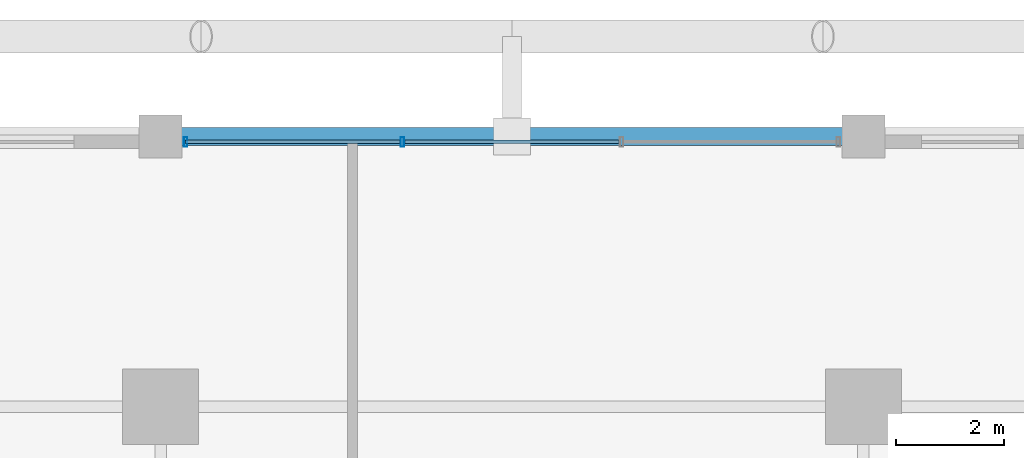
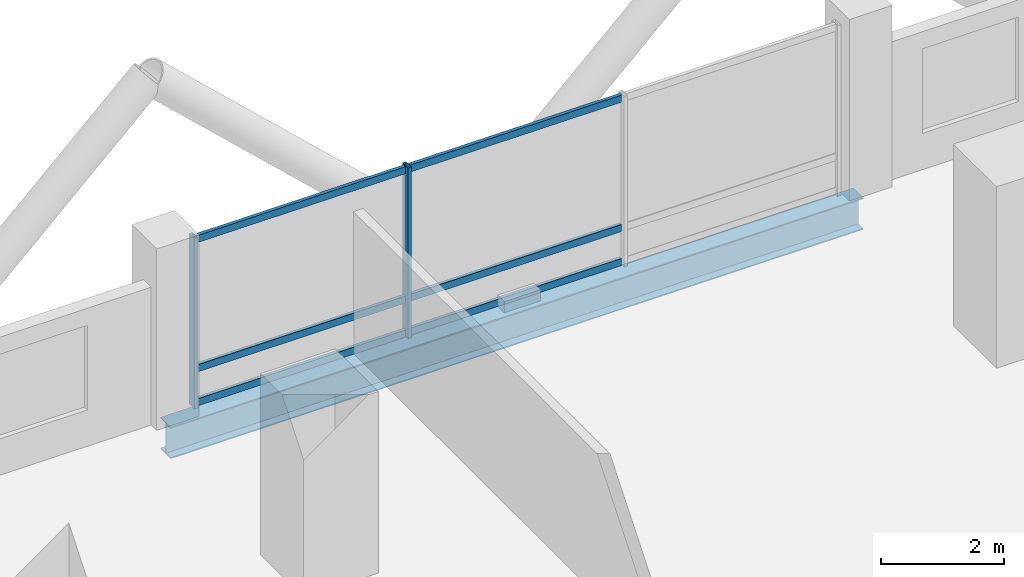
# One storey, part 15 of 27: 8 members, 1 beam, 1 element without a shape of its own.
"""IFC4 building model written with IfcOpenShell, lengths in metres."""

import ifcopenshell
import ifcopenshell.guid

model = None  # the IFC model being written
_history = None  # IfcOwnerHistory: only IFC2X3 demands one
_inside = {}  # id of a spatial element -> (the spatial element, [elements in it])
_under = {}  # id of a project, library or spatial element -> (it, [spatial elements below it])
_declared = {}  # id of a project -> (the project, [libraries it declares])
_typed = {}  # id of a type object -> (the type object, [elements of that type])
_made_of = {}  # id of a material, layer set ... -> (it, [elements and type objects made of it])


def new_model(schema):
    """Start an empty IFC model of exactly this schema.

    Asked for "IFC4X3", IfcOpenShell would pick the latest addendum, in which some entities
    have other attributes; the version numbers below select the first issue.
    IFC2X3 requires an IfcOwnerHistory on every rooted entity: one is made here for all.
    """
    global model, _history
    if schema == "IFC4X3":
        model = ifcopenshell.file(schema_version=(4, 3, 0, 0))
    else:
        model = ifcopenshell.file(schema=schema)
    _inside.clear()
    _under.clear()
    _declared.clear()
    _typed.clear()
    _made_of.clear()
    _history = None
    if model.schema == "IFC2X3":
        org = make("IfcOrganization", Name="unknown")
        user = make(
            "IfcPersonAndOrganization",
            ThePerson=make("IfcPerson", FamilyName="unknown"),
            TheOrganization=org,
        )
        app = make(
            "IfcApplication",
            ApplicationDeveloper=org,
            Version="unknown",
            ApplicationFullName="unknown",
            ApplicationIdentifier="unknown",
        )
        _history = make(
            "IfcOwnerHistory",
            OwningUser=user,
            OwningApplication=app,
            ChangeAction="ADDED",
            CreationDate=0,
        )
    return model


def make(cls, **values):
    """One entity of the class cls with the attributes given. An attribute that is None is left unset."""
    return model.create_entity(
        cls, **{name: value for name, value in values.items() if value is not None}
    )


def rooted(cls, **values):
    """An entity with a GlobalId (a new one), such as an element, a storey or a relation."""
    return make(cls, GlobalId=ifcopenshell.guid.new(), OwnerHistory=_history, **values)


def si_unit(unit_type, name, prefix=None):
    """IfcSIUnit, for example si_unit("LENGTHUNIT", "METRE", prefix="MILLI")."""
    return make("IfcSIUnit", UnitType=unit_type, Prefix=prefix, Name=name)


def assignment(units):
    """IfcUnitAssignment: the units of a project."""
    return None if units is None else make("IfcUnitAssignment", Units=units)


def point(xyz):
    """IfcCartesianPoint."""
    return None if xyz is None else make("IfcCartesianPoint", Coordinates=xyz)


def direction(xyz):
    """IfcDirection."""
    return None if xyz is None else make("IfcDirection", DirectionRatios=xyz)


def frame(location, z_axis=None, x_axis=None):
    """IfcAxis2Placement3D, a coordinate frame: its origin and axes. An axis left out is left unset."""
    return make(
        "IfcAxis2Placement3D",
        Location=point(location),
        Axis=direction(z_axis),
        RefDirection=direction(x_axis),
    )


def frame_2d(location, x_axis=None):
    """IfcAxis2Placement2D, a coordinate frame in the plane: its origin and x axis."""
    return make(
        "IfcAxis2Placement2D", Location=point(location), RefDirection=direction(x_axis)
    )


def origin():
    """The frame at (0, 0, 0) with its axes left unset."""
    return frame((0.0, 0.0, 0.0))


def origin_2d():
    """The frame at (0, 0) in the plane with its x axis left unset."""
    return frame_2d((0.0, 0.0))


def place(relative_to, where):
    """IfcLocalPlacement: puts the frame where relative to a parent placement (None: the world)."""
    return make(
        "IfcLocalPlacement", PlacementRelTo=relative_to, RelativePlacement=where
    )


def context(
    kind, dimensions, precision=None, world=None, true_north=None, identifier=None
):
    """IfcGeometricRepresentationContext, for example the 3D "Model" context."""
    return make(
        "IfcGeometricRepresentationContext",
        ContextIdentifier=identifier,
        ContextType=kind,
        CoordinateSpaceDimension=dimensions,
        Precision=precision,
        WorldCoordinateSystem=world,
        TrueNorth=true_north,
    )


def subcontext(parent, identifier, kind, view, scale=None):
    """IfcGeometricRepresentationSubContext, for example "Body" below "Model"."""
    return make(
        "IfcGeometricRepresentationSubContext",
        ContextIdentifier=identifier,
        ContextType=kind,
        ParentContext=parent,
        TargetScale=scale,
        TargetView=view,
    )


def project(units=None, contexts=None):
    """IfcProject with its units and contexts."""
    return rooted(
        "IfcProject",
        Name="project",
        RepresentationContexts=contexts,
        UnitsInContext=assignment(units),
    )


def spatial(cls, under=None, at=None, **own):
    """A site, building, storey or space (cls), placed at a placement, below another one or the project."""
    s = rooted(cls, ObjectPlacement=at, **own)
    if under is not None:
        _under.setdefault(under.id(), (under, []))[1].append(s)
    return s


def profile(cls, at=None, kind="AREA", **sizes):
    """A parametric profile (cls). Its sizes go by their IFC names, for example OverallWidth=200.0."""
    return make(cls, ProfileType=kind, Position=at, **sizes)


def hollow_rectangle(**sizes):
    """IfcRectangleHollowProfileDef."""
    return profile("IfcRectangleHollowProfileDef", **sizes)


def i_section(**sizes):
    """IfcIShapeProfileDef."""
    return profile("IfcIShapeProfileDef", **sizes)


def extrude(swept, where, along, depth):
    """IfcExtrudedAreaSolid: the profile swept, set in the frame where, extruded along a direction by depth."""
    return make(
        "IfcExtrudedAreaSolid",
        SweptArea=swept,
        Position=where,
        ExtrudedDirection=direction(along),
        Depth=depth,
    )


def shape(context_of_items, identifier, shape_type, items):
    """IfcShapeRepresentation: the items that make up one representation, for example the "Body"."""
    return make(
        "IfcShapeRepresentation",
        ContextOfItems=context_of_items,
        RepresentationIdentifier=identifier,
        RepresentationType=shape_type,
        Items=items,
    )


def material(Name=None, Category=None):
    """IfcMaterial."""
    return make("IfcMaterial", Name=Name, Category=Category)


def layer(
    of_material, thickness, ventilated=None, Name=None, Category=None, Priority=None
):
    """IfcMaterialLayer: one layer of a wall or slab, of a material (None: an air gap)."""
    return make(
        "IfcMaterialLayer",
        Material=of_material,
        LayerThickness=thickness,
        IsVentilated=ventilated,
        Name=Name,
        Category=Category,
        Priority=Priority,
    )


def layer_set(layers, Name=None):
    """IfcMaterialLayerSet."""
    return make("IfcMaterialLayerSet", MaterialLayers=layers, LayerSetName=Name)


def material_profile(
    of_material, cross_section, Name=None, Category=None, Priority=None
):
    """IfcMaterialProfile: a cross section and its material."""
    return make(
        "IfcMaterialProfile",
        Name=Name,
        Material=of_material,
        Profile=cross_section,
        Priority=Priority,
        Category=Category,
    )


def profile_set(profiles, Name=None, composite=None):
    """IfcMaterialProfileSet."""
    return make(
        "IfcMaterialProfileSet",
        Name=Name,
        MaterialProfiles=profiles,
        CompositeProfile=composite,
    )


def made_of(thing, what):
    """Note that an element or type object is made of a material, layer set ...; save() writes the relation."""
    if what is not None:
        _made_of.setdefault(what.id(), (what, []))[1].append(thing)
    return thing


def type_object(cls, material=None, **own):
    """A type object (cls), such as IfcWallType, which elements share."""
    return made_of(rooted(cls, **own), material)


def element(
    cls,
    number,
    at=None,
    inside=None,
    cuts=None,
    type_object=None,
    material=None,
    context=None,
    identifier="Body",
    shape_type=None,
    held_by="IfcProductDefinitionShape",
    body=None,
    shapes=None,
    **own,
):
    """One element of the class cls, such as IfcWall. Its Tag is "e" and its number.

    at: its placement. inside: the storey or other place that contains it. cuts: it is an
    opening in that element (IfcRelVoidsElement). A single representation is given by context,
    identifier, shape_type and body (its items); several are given by shapes. held_by: the class
    of the entity that holds the representations. save() writes the other relations.
    """
    e = rooted(cls, Tag="e%d" % number, ObjectPlacement=at, **own)
    if body is not None:
        shapes = [shape(context, identifier, shape_type, body)]
    if shapes is not None:
        e.Representation = make(held_by, Representations=shapes)
    if inside is not None:
        _inside.setdefault(inside.id(), (inside, []))[1].append(e)
    if cuts is not None:
        rooted(
            "IfcRelVoidsElement", RelatingBuildingElement=cuts, RelatedOpeningElement=e
        )
    if type_object is not None:
        _typed.setdefault(type_object.id(), (type_object, []))[1].append(e)
    return made_of(e, material)


def aggregate(whole, parts):
    """IfcRelAggregates: a whole, such as a stair, and the parts it consists of."""
    return rooted("IfcRelAggregates", RelatingObject=whole, RelatedObjects=parts)


def save(model, path):
    """Write the relations noted so far, then the file.

    IfcRelAggregates (storeys below a building ...), IfcRelContainedInSpatialStructure (elements
    in a storey), IfcRelDefinesByType, IfcRelAssociatesMaterial and IfcRelDeclares: one each for
    every whole, place, type object, material and project.
    """
    for whole, parts in _under.values():
        aggregate(whole, parts)
    for where, things in _inside.values():
        rooted(
            "IfcRelContainedInSpatialStructure",
            RelatedElements=things,
            RelatingStructure=where,
        )
    for kind, things in _typed.values():
        rooted("IfcRelDefinesByType", RelatedObjects=things, RelatingType=kind)
    for what, things in _made_of.values():
        rooted("IfcRelAssociatesMaterial", RelatedObjects=things, RelatingMaterial=what)
    for by, libraries in _declared.values():
        rooted("IfcRelDeclares", RelatingContext=by, RelatedDefinitions=libraries)
    model.write(path)


model = new_model("IFC4")

# Units and contexts
model_context = context("Model", 3, precision=1e-05, world=origin(), true_north=direction((0.0, 1.0)))
body_context = subcontext(model_context, "Body", "Model", "MODEL_VIEW")
ifc_project = project(units=[si_unit("LENGTHUNIT", "METRE"), si_unit("AREAUNIT", "SQUARE_METRE"), si_unit("VOLUMEUNIT", "CUBIC_METRE"), si_unit("PLANEANGLEUNIT", "RADIAN"), si_unit("MASSUNIT", "GRAM", prefix="KILO")], contexts=[model_context])

# Site, building, storey
site_placement = place(None, origin())
site = spatial("IfcSite", under=ifc_project, at=site_placement, CompositionType="ELEMENT")
building_placement = place(site_placement, origin())
building = spatial("IfcBuilding", under=site, at=building_placement, Name="Barlavira Tower and Art Museum", CompositionType="ELEMENT")
storey_placement = place(building_placement, frame((0.0, 0.0, 50.39990234375)))
storey = spatial("IfcBuildingStorey", under=building, at=storey_placement, Name="L11", CompositionType="ELEMENT", Elevation=50.39990234375)

# Curtain wall, members
ifc_material_1 = material(Name="Low-iron coastal laminated glass", Category="glass")
ifc_layer = layer(ifc_material_1, 0.179931640625, Name="Low-iron coastal laminated glass")
ifc_layer_set = layer_set([ifc_layer], Name="Low-iron coastal laminated glass")
curtain_wall_type = type_object("IfcCurtainWallType", Name="Pale-Metal Unitised Curtain Wall Zone 1", PredefinedType="NOTDEFINED", material=ifc_layer_set)
curtain_wall_placement = place(storey_placement, origin())
curtain_wall = element("IfcCurtainWall", 1, at=curtain_wall_placement, inside=storey, type_object=curtain_wall_type, Name="L11 Curtain Wall CW1-L11-N-B3", PredefinedType="NOTDEFINED")
ifc_material_2 = material(Name="Pale anodised aluminium", Category="aluminium")
ifc_material_profile_1 = material_profile(ifc_material_2, hollow_rectangle(XDim=0.06494140625, YDim=0.179931640625, WallThickness=0.00390625, at=origin_2d()), Name="ALU-MULL 65x180x4")
ifc_profile_set_1 = profile_set([ifc_material_profile_1], Name="Pale anodised aluminium")
member_type_1 = type_object("IfcMemberType", Name="Curtain Wall Pale-Metal Mullion 65x180", PredefinedType="MULLION", material=ifc_profile_set_1)
member_1_placement = place(storey_placement, frame((-2.026611328125, 24.89990234375, 0.0), z_axis=(0.0, 0.0, 1.0), x_axis=(-1.0, 0.0, 0.0)))
member_1 = element("IfcMember", 2, at=member_1_placement, type_object=member_type_1, Name="CW1-L11-N-B3 Mullion 2", PredefinedType="MULLION", context=body_context, shape_type="SweptSolid", body=[
    extrude(hollow_rectangle(XDim=0.06494140625, YDim=0.179931640625, WallThickness=0.00390625, at=origin_2d()), origin(), (0.0, 0.0, 1.0), 3.380126953125),
])
member_2_placement = place(storey_placement, frame((-6.034912109375, 24.89990234375, 0.0), z_axis=(0.0, 0.0, 1.0), x_axis=(-1.0, 0.0, 0.0)))
member_2 = element("IfcMember", 3, at=member_2_placement, type_object=member_type_1, Name="CW1-L11-N-B3 Mullion 3", PredefinedType="MULLION", context=body_context, shape_type="SweptSolid", body=[
    extrude(hollow_rectangle(XDim=0.06494140625, YDim=0.179931640625, WallThickness=0.00390625, at=origin_2d()), origin(), (0.0, 0.0, 1.0), 3.380126953125),
])
ifc_material_profile_2 = material_profile(ifc_material_2, hollow_rectangle(XDim=0.06494140625, YDim=0.139892578125, WallThickness=0.00390625, at=origin_2d()), Name="ALU-TRAN 65x140x4")
ifc_profile_set_2 = profile_set([ifc_material_profile_2], Name="Pale anodised aluminium")
member_type_2 = type_object("IfcMemberType", Name="Curtain Wall Pale-Metal Transom 65x140", PredefinedType="USERDEFINED", material=ifc_profile_set_2)
member_3_placement = place(storey_placement, frame((1.981689453125, 24.89990234375, 0.070068359375), z_axis=(-1.0, 0.0, 0.0), x_axis=(0.0, -1.0, 0.0)))
member_3 = element("IfcMember", 4, at=member_3_placement, type_object=member_type_2, Name="CW1-L11-N-B3 Transom 1.1", ObjectType="TRANSOM", PredefinedType="USERDEFINED", context=body_context, shape_type="SweptSolid", body=[
    extrude(hollow_rectangle(XDim=0.06494140625, YDim=0.139892578125, WallThickness=0.00390625, at=origin_2d()), origin(), (0.0, 0.0, 1.0), 3.96337890625),
])
member_4_placement = place(storey_placement, frame((1.981689453125, 24.89990234375, 0.744140625), z_axis=(-1.0, 0.0, 0.0), x_axis=(0.0, -1.0, 0.0)))
member_4 = element("IfcMember", 5, at=member_4_placement, type_object=member_type_2, Name="CW1-L11-N-B3 Transom 1.2", ObjectType="TRANSOM", PredefinedType="USERDEFINED", context=body_context, shape_type="SweptSolid", body=[
    extrude(hollow_rectangle(XDim=0.06494140625, YDim=0.139892578125, WallThickness=0.00390625, at=origin_2d()), origin(), (0.0, 0.0, 1.0), 3.96337890625),
])
member_5_placement = place(storey_placement, frame((1.981689453125, 24.89990234375, 3.31005859375), z_axis=(-1.0, 0.0, 0.0), x_axis=(0.0, -1.0, 0.0)))
member_5 = element("IfcMember", 6, at=member_5_placement, type_object=member_type_2, Name="CW1-L11-N-B3 Transom 1.3", ObjectType="TRANSOM", PredefinedType="USERDEFINED", context=body_context, shape_type="SweptSolid", body=[
    extrude(hollow_rectangle(XDim=0.06494140625, YDim=0.139892578125, WallThickness=0.00390625, at=origin_2d()), origin(), (0.0, 0.0, 1.0), 3.96337890625),
])
member_6_placement = place(storey_placement, frame((-2.07177734375, 24.89990234375, 0.070068359375), z_axis=(-1.0, 0.0, 0.0), x_axis=(0.0, -1.0, 0.0)))
member_6 = element("IfcMember", 7, at=member_6_placement, type_object=member_type_2, Name="CW1-L11-N-B3 Transom 2.1", ObjectType="TRANSOM", PredefinedType="USERDEFINED", context=body_context, shape_type="SweptSolid", body=[
    extrude(hollow_rectangle(XDim=0.06494140625, YDim=0.139892578125, WallThickness=0.00390625, at=origin_2d()), origin(), (0.0, 0.0, 1.0), 3.963134765625),
])
member_7_placement = place(storey_placement, frame((-2.07177734375, 24.89990234375, 0.744140625), z_axis=(-1.0, 0.0, 0.0), x_axis=(0.0, -1.0, 0.0)))
member_7 = element("IfcMember", 8, at=member_7_placement, type_object=member_type_2, Name="CW1-L11-N-B3 Transom 2.2", ObjectType="TRANSOM", PredefinedType="USERDEFINED", context=body_context, shape_type="SweptSolid", body=[
    extrude(hollow_rectangle(XDim=0.06494140625, YDim=0.139892578125, WallThickness=0.00390625, at=origin_2d()), origin(), (0.0, 0.0, 1.0), 3.963134765625),
])
member_8_placement = place(storey_placement, frame((-2.07177734375, 24.89990234375, 3.31005859375), z_axis=(-1.0, 0.0, 0.0), x_axis=(0.0, -1.0, 0.0)))
member_8 = element("IfcMember", 9, at=member_8_placement, type_object=member_type_2, Name="CW1-L11-N-B3 Transom 2.3", ObjectType="TRANSOM", PredefinedType="USERDEFINED", context=body_context, shape_type="SweptSolid", body=[
    extrude(hollow_rectangle(XDim=0.06494140625, YDim=0.139892578125, WallThickness=0.00390625, at=origin_2d()), origin(), (0.0, 0.0, 1.0), 3.963134765625),
])
aggregate(curtain_wall, [member_1, member_2, member_3, member_4, member_5, member_6, member_7, member_8])

# Beam
ifc_material_3 = material(Name="Steel S355", Category="steel")
ifc_material_profile_3 = material_profile(ifc_material_3, i_section(OverallWidth=0.327880859375, OverallDepth=0.62890625, WebThickness=0.013916015625, FlangeThickness=0.021484375, at=origin_2d()), Name="W610x174.0")
ifc_profile_set_3 = profile_set([ifc_material_profile_3], Name="Steel S355")
beam_type = type_object("IfcBeamType", Name="Perimeter Spandrel Edge Beam W610x174 Steel S355", PredefinedType="SPANDREL", material=ifc_profile_set_3)
beam_placement = place(storey_placement, frame((-6.5, 25.0, -0.534423828125), z_axis=(1.0, 0.0, 0.0), x_axis=(0.0, 1.0, 0.0)))
element("IfcBeam", 10, at=beam_placement, inside=storey, type_object=beam_type, Name="L11 Spandrel 10", PredefinedType="SPANDREL", context=body_context, shape_type="SweptSolid", body=[
    extrude(i_section(OverallWidth=0.327880859375, OverallDepth=0.62890625, WebThickness=0.013916015625, FlangeThickness=0.021484375, at=origin_2d()), origin(), (0.0, 0.0, 1.0), 13.0),
])

save(model, "model.ifc")
